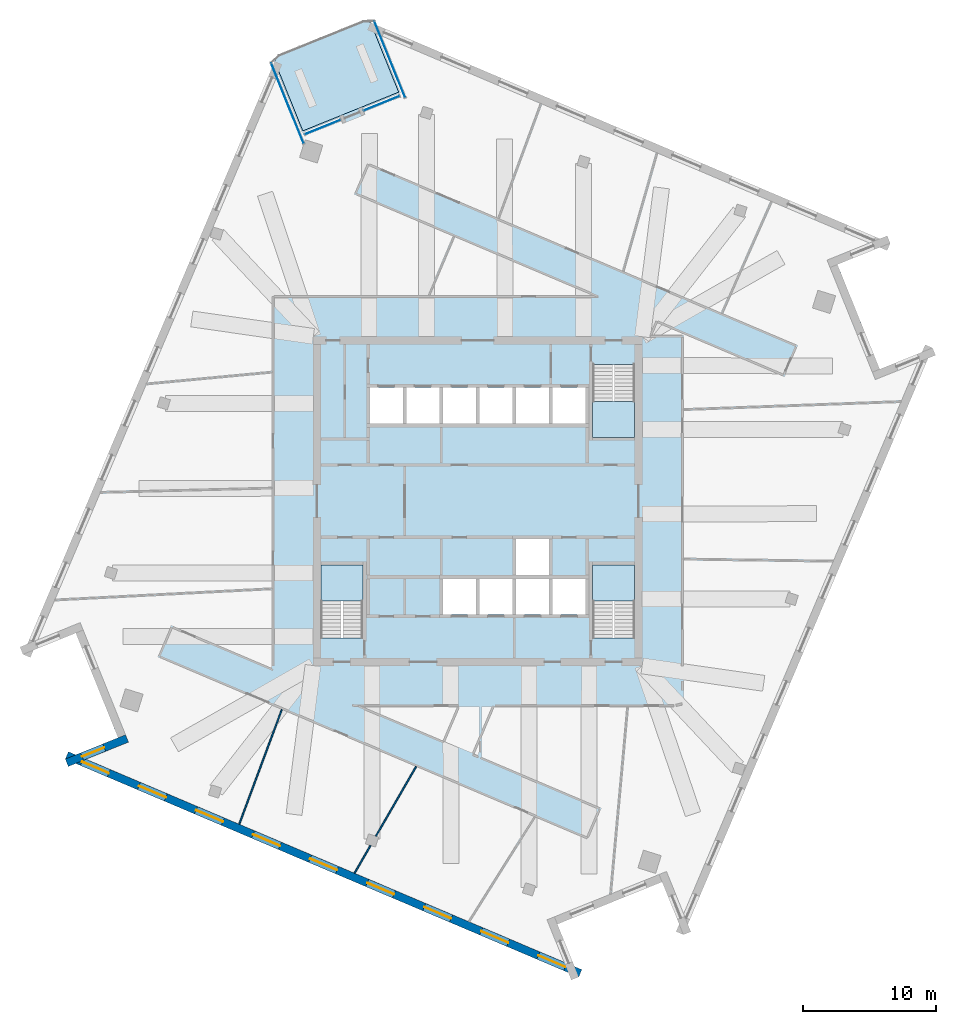
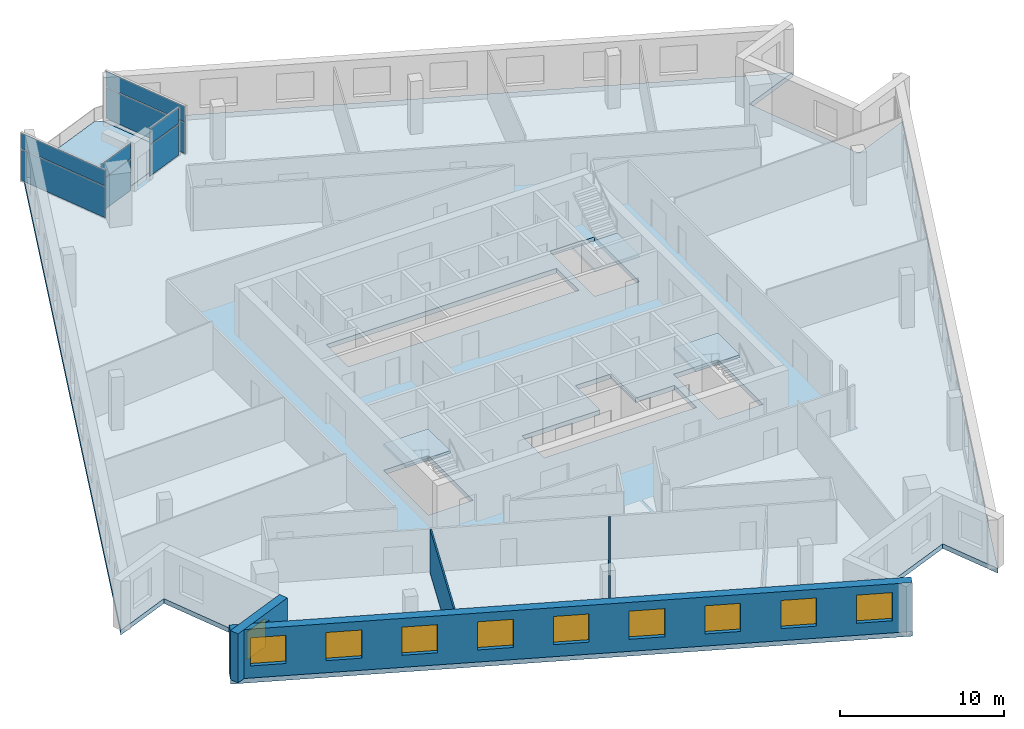
# One storey, part 5 of 13: 10 windows, 8 plates, 5 slabs, 5 walls, 10 openings, 7 elements without a shape of their own.
"""IFC4 building model written with IfcOpenShell, lengths in metres."""

from ifc_helpers import new_model, si_unit, direction, frame, frame_2d, origin, origin_2d, place, context, subcontext, project, spatial, polyline, rectangle, outline, extrude, material, layer, layer_set, type_object, element, fill, aggregate, save


model = new_model("IFC4")

# Units and contexts
model_context = context("Model", 3, precision=1e-05, world=origin(), true_north=direction((0.0, 1.0)))
body_context = subcontext(model_context, "Body", "Model", "MODEL_VIEW")
ifc_project = project(units=[si_unit("LENGTHUNIT", "METRE"), si_unit("AREAUNIT", "SQUARE_METRE"), si_unit("VOLUMEUNIT", "CUBIC_METRE"), si_unit("PLANEANGLEUNIT", "RADIAN"), si_unit("MASSUNIT", "GRAM", prefix="KILO")], contexts=[model_context])

# Site, building, storey
site_placement = place(None, origin())
site = spatial("IfcSite", under=ifc_project, at=site_placement, CompositionType="ELEMENT")
building_placement = place(site_placement, origin())
building = spatial("IfcBuilding", under=site, at=building_placement, Name="Dilmun Exchange Tower", CompositionType="ELEMENT")
storey_placement = place(building_placement, frame((0.0, 0.0, 296.5)))
storey = spatial("IfcBuildingStorey", under=building, at=storey_placement, Name="L70", CompositionType="ELEMENT", Elevation=296.5)

# Stair, slab
ifc_material_1 = material(Name="Concrete C40/50", Category="concrete")
stair_type = type_object("IfcStairType", Name="Exit stair 1500 half-turn", PredefinedType="HALF_TURN_STAIR", material=ifc_material_1)
stair_1_placement = place(storey_placement, origin())
stair_1 = element("IfcStair", 1, at=stair_1_placement, inside=storey, type_object=stair_type, Name="L70 Protected exit stair ST1", PredefinedType="HALF_TURN_STAIR")
ifc_layer_1 = layer(ifc_material_1, 0.199951171875)
ifc_layer_set_1 = layer_set([ifc_layer_1], Name="Concrete C40/50")
slab_type_1 = type_object("IfcSlabType", Name="Exit stair landing 200", PredefinedType="LANDING", material=ifc_layer_set_1)
slab_1_placement = place(storey_placement, frame((0.0, 0.0, 1.800048828125)))
slab_1 = element("IfcSlab", 2, at=slab_1_placement, type_object=slab_type_1, Name="ST1 landing 1", PredefinedType="LANDING", context=body_context, shape_type="SweptSolid", body=[
    extrude(outline(polyline([(8.64990234375, 7.5), (8.64990234375, 4.800048828125), (11.800048828125, 4.800048828125), (11.800048828125, 7.5), (8.64990234375, 7.5)])), origin(), (0.0, 0.0, 1.0), 0.199951171875),
])
aggregate(stair_1, [slab_1])

stair_2_placement = place(storey_placement, origin())
stair_2 = element("IfcStair", 3, at=stair_2_placement, inside=storey, type_object=stair_type, Name="L70 Protected exit stair ST2", PredefinedType="HALF_TURN_STAIR")
slab_2_placement = place(storey_placement, frame((0.0, 0.0, 1.800048828125)))
slab_2 = element("IfcSlab", 4, at=slab_2_placement, type_object=slab_type_1, Name="ST2 landing 1", PredefinedType="LANDING", context=body_context, shape_type="SweptSolid", body=[
    extrude(outline(polyline([(-8.64990234375, -7.5), (-8.64990234375, -4.800048828125), (-11.800048828125, -4.800048828125), (-11.800048828125, -7.5), (-8.64990234375, -7.5)])), origin(), (0.0, 0.0, 1.0), 0.199951171875),
])
aggregate(stair_2, [slab_2])

stair_3_placement = place(storey_placement, origin())
stair_3 = element("IfcStair", 5, at=stair_3_placement, inside=storey, type_object=stair_type, Name="L70 Protected exit stair ST3", PredefinedType="HALF_TURN_STAIR")
slab_3_placement = place(storey_placement, frame((0.0, 0.0, 1.800048828125)))
slab_3 = element("IfcSlab", 6, at=slab_3_placement, type_object=slab_type_1, Name="ST3 landing 1", PredefinedType="LANDING", context=body_context, shape_type="SweptSolid", body=[
    extrude(outline(polyline([(11.800048828125, -7.5), (11.800048828125, -4.800048828125), (8.64990234375, -4.800048828125), (8.64990234375, -7.5), (11.800048828125, -7.5)])), origin(), (0.0, 0.0, 1.0), 0.199951171875),
])
aggregate(stair_3, [slab_3])

# Curtain wall, plates
ifc_material_2 = material(Name="Anodised aluminium and clear glass", Category="aluminium")
curtain_wall_type = type_object("IfcCurtainWallType", Name="Garden corner glazing", PredefinedType="NOTDEFINED", material=ifc_material_2)
curtain_wall_1_placement = place(storey_placement, origin())
curtain_wall_1 = element("IfcCurtainWall", 7, at=curtain_wall_1_placement, inside=storey, type_object=curtain_wall_type, Name="Garden corner glazing run GC1.1", PredefinedType="NOTDEFINED")
ifc_material_3 = material(Name="Clear glass", Category="glass")
ifc_layer_2 = layer(ifc_material_3, 0.028076171875)
ifc_layer_set_2 = layer_set([ifc_layer_2], Name="Clear glass")
plate_type = type_object("IfcPlateType", Name="Garden corner glazing glass panel 28", PredefinedType="CURTAIN_PANEL", material=ifc_layer_set_2)
plate_1_placement = place(storey_placement, frame((-6.620849609375, 33.232421875, 0.06005859375), z_axis=(0.0, 0.0, 1.0), x_axis=(0.374612333812, -0.927181535276, 0.0)))
plate_1 = element("IfcPlate", 8, at=plate_1_placement, type_object=plate_type, Name="GC1.1 panel 1.1", PredefinedType="CURTAIN_PANEL", context=body_context, shape_type="SweptSolid", body=[
    extrude(rectangle(XDim=6.12646484375, YDim=0.028076171875, at=origin_2d()), origin(), (0.0, 0.0, 1.0), 2.31005859375),
])
plate_2_placement = place(storey_placement, frame((-6.620849609375, 33.232421875, 2.43017578125), z_axis=(0.0, 0.0, 1.0), x_axis=(0.374612333812, -0.927181535276, 0.0)))
plate_2 = element("IfcPlate", 9, at=plate_2_placement, type_object=plate_type, Name="GC1.1 panel 1.2", PredefinedType="CURTAIN_PANEL", context=body_context, shape_type="SweptSolid", body=[
    extrude(rectangle(XDim=6.12646484375, YDim=0.028076171875, at=origin_2d()), origin(), (0.0, 0.0, 1.0), 1.159912109375),
])
aggregate(curtain_wall_1, [plate_1, plate_2])

curtain_wall_2_placement = place(storey_placement, origin())
curtain_wall_2 = element("IfcCurtainWall", 10, at=curtain_wall_2_placement, inside=storey, type_object=curtain_wall_type, Name="Garden corner glazing run GC2.1", PredefinedType="NOTDEFINED")
plate_3_placement = place(storey_placement, frame((-7.22705078125, 29.942626953125, 0.06005859375), z_axis=(0.0, 0.0, 1.0), x_axis=(-0.927190673429, -0.374589715698, 0.0)))
plate_3 = element("IfcPlate", 11, at=plate_3_placement, type_object=plate_type, Name="GC2.1 panel 1.1", PredefinedType="CURTAIN_PANEL", context=body_context, shape_type="SweptSolid", body=[
    extrude(rectangle(XDim=2.869140625, YDim=0.028076171875, at=origin_2d()), origin(), (0.0, 0.0, 1.0), 2.31005859375),
])
plate_4_placement = place(storey_placement, frame((-7.22705078125, 29.942626953125, 2.43017578125), z_axis=(0.0, 0.0, 1.0), x_axis=(-0.927190673429, -0.374589715698, 0.0)))
plate_4 = element("IfcPlate", 12, at=plate_4_placement, type_object=plate_type, Name="GC2.1 panel 1.2", PredefinedType="CURTAIN_PANEL", context=body_context, shape_type="SweptSolid", body=[
    extrude(rectangle(XDim=2.869140625, YDim=0.028076171875, at=origin_2d()), origin(), (0.0, 0.0, 1.0), 1.159912109375),
])
aggregate(curtain_wall_2, [plate_3, plate_4])

curtain_wall_3_placement = place(storey_placement, origin())
curtain_wall_3 = element("IfcCurtainWall", 13, at=curtain_wall_3_placement, inside=storey, type_object=curtain_wall_type, Name="Garden corner glazing run GC2.3", PredefinedType="NOTDEFINED")
plate_5_placement = place(storey_placement, frame((-11.66748046875, 28.1484375, 0.06005859375), z_axis=(0.0, 0.0, 1.0), x_axis=(-0.92718597897, -0.374601335291, 0.0)))
plate_5 = element("IfcPlate", 14, at=plate_5_placement, type_object=plate_type, Name="GC2.3 panel 1.1", PredefinedType="CURTAIN_PANEL", context=body_context, shape_type="SweptSolid", body=[
    extrude(rectangle(XDim=2.869140625, YDim=0.028076171875, at=origin_2d()), origin(), (0.0, 0.0, 1.0), 2.31005859375),
])
plate_6_placement = place(storey_placement, frame((-11.66748046875, 28.1484375, 2.43017578125), z_axis=(0.0, 0.0, 1.0), x_axis=(-0.92718597897, -0.374601335291, 0.0)))
plate_6 = element("IfcPlate", 15, at=plate_6_placement, type_object=plate_type, Name="GC2.3 panel 1.2", PredefinedType="CURTAIN_PANEL", context=body_context, shape_type="SweptSolid", body=[
    extrude(rectangle(XDim=2.869140625, YDim=0.028076171875, at=origin_2d()), origin(), (0.0, 0.0, 1.0), 1.159912109375),
])
aggregate(curtain_wall_3, [plate_5, plate_6])

curtain_wall_4_placement = place(storey_placement, origin())
curtain_wall_4 = element("IfcCurtainWall", 16, at=curtain_wall_4_placement, inside=storey, type_object=curtain_wall_type, Name="Garden corner glazing run GC3.1", PredefinedType="NOTDEFINED")
plate_7_placement = place(storey_placement, frame((-14.322509765625, 29.9296875, 0.06005859375), z_axis=(0.0, 0.0, 1.0), x_axis=(-0.374614342415, 0.92718072373, 0.0)))
plate_7 = element("IfcPlate", 17, at=plate_7_placement, type_object=plate_type, Name="GC3.1 panel 1.1", PredefinedType="CURTAIN_PANEL", context=body_context, shape_type="SweptSolid", body=[
    extrude(rectangle(XDim=6.480712890625, YDim=0.028076171875, at=origin_2d()), origin(), (0.0, 0.0, 1.0), 2.31005859375),
])
plate_8_placement = place(storey_placement, frame((-14.322509765625, 29.9296875, 2.43017578125), z_axis=(0.0, 0.0, 1.0), x_axis=(-0.374614342415, 0.92718072373, 0.0)))
plate_8 = element("IfcPlate", 18, at=plate_8_placement, type_object=plate_type, Name="GC3.1 panel 1.2", PredefinedType="CURTAIN_PANEL", context=body_context, shape_type="SweptSolid", body=[
    extrude(rectangle(XDim=6.480712890625, YDim=0.028076171875, at=origin_2d()), origin(), (0.0, 0.0, 1.0), 1.159912109375),
])
aggregate(curtain_wall_4, [plate_7, plate_8])

# Slabs
ifc_layer_3 = layer(ifc_material_1, 0.35009765625)
ifc_layer_set_3 = layer_set([ifc_layer_3], Name="Concrete C40/50")
slab_type_2 = type_object("IfcSlabType", Name="RC floor slab 350", PredefinedType="FLOOR", material=ifc_layer_set_3)
slab_4_placement = place(storey_placement, frame((0.0, 0.0, -0.35009765625)))
element("IfcSlab", 19, at=slab_4_placement, inside=storey, type_object=slab_type_2, Name="Floor slab", PredefinedType="FLOOR", context=body_context, shape_type="SweptSolid", body=[
    extrude(outline(polyline([(27.069580078125, 17.80859375), (30.253662109375, 9.927490234375), (34.22705078125, 11.53271484375), (15.480224609375, -32.63232421875), (13.874755859375, -28.65869140625), (5.99365234375, -31.843017578125), (7.59912109375, -35.81640625), (-31.04296875, -19.413818359375), (-27.069580078125, -17.80859375), (-30.253662109375, -9.927490234375), (-34.22705078125, -11.53271484375), (-15.28076171875, 33.10205078125), (-13.16552734375, 27.86669921875), (-5.95361328125, 30.780517578125), (-8.06884765625, 36.015869140625), (31.04296875, 19.413818359375), (27.069580078125, 17.80859375)]), holes=[polyline([(-8.64990234375, -4.800048828125), (-11.800048828125, -4.800048828125), (-11.800048828125, -10.294921875), (-8.64990234375, -10.294921875), (-8.64990234375, -4.800048828125)]), polyline([(11.800048828125, -4.800048828125), (8.64990234375, -4.800048828125), (8.64990234375, -10.294921875), (11.800048828125, -10.294921875), (11.800048828125, -4.800048828125)]), polyline([(2.875, -5.85009765625), (-2.625, -5.85009765625), (-2.625, -8.550048828125), (8.125, -8.550048828125), (8.125, -5.85009765625), (5.375, -5.85009765625), (5.375, -2.85009765625), (2.875, -2.85009765625), (2.875, -5.85009765625)]), polyline([(8.125, 5.85009765625), (8.125, 8.550048828125), (-8.125, 8.550048828125), (-8.125, 5.85009765625), (8.125, 5.85009765625)]), polyline([(8.64990234375, 10.294921875), (8.64990234375, 4.800048828125), (11.800048828125, 4.800048828125), (11.800048828125, 10.294921875), (8.64990234375, 10.294921875)])]), origin(), (0.0, 0.0, 1.0), 0.35009765625),
])
ifc_layer_4 = layer(ifc_material_1, 0.300048828125)
ifc_layer_set_4 = layer_set([ifc_layer_4], Name="Concrete C40/50")
slab_type_3 = type_object("IfcSlabType", Name="RC garden terrace slab 300", PredefinedType="FLOOR", material=ifc_layer_set_4)
slab_5_placement = place(storey_placement, frame((0.0, 0.0, -0.300048828125)))
element("IfcSlab", 20, at=slab_5_placement, inside=storey, type_object=slab_type_3, Name="Garden terrace slab", PredefinedType="FLOOR", context=body_context, shape_type="SweptSolid", body=[
    extrude(outline(polyline([(-13.16552734375, 27.86669921875), (-15.28076171875, 33.10205078125), (-15.08544921875, 33.5625), (-8.529296875, 36.211181640625), (-8.06884765625, 36.015869140625), (-5.95361328125, 30.780517578125), (-13.16552734375, 27.86669921875)])), origin(), (0.0, 0.0, 1.0), 0.300048828125),
])

# Walls
ifc_material_4 = material(Name="Partition 100")
ifc_layer_5 = layer(ifc_material_4, 0.10009765625)
ifc_layer_set_5 = layer_set([ifc_layer_5], Name="Partition 100")
wall_type_1 = type_object("IfcWallType", Name="Partition 100", PredefinedType="PARTITIONING", material=ifc_layer_set_5)
wall_1_placement = place(storey_placement, frame((-17.9521484375, -24.316650390625, 0.0), z_axis=(0.0, 0.0, 1.0), x_axis=(0.348014202779, 0.937489261093, 0.0)))
element("IfcWall", 21, at=wall_1_placement, inside=storey, type_object=wall_type_1, Name="Partition", PredefinedType="PARTITIONING", context=body_context, shape_type="SweptSolid", body=[
    extrude(rectangle(XDim=9.213134765625, YDim=0.10009765625, at=frame_2d((4.6064453125, 0.0))), origin(), (0.0, 0.0, 1.0), 3.25),
])
wall_2_placement = place(storey_placement, frame((-9.272705078125, -28.000732421875, 0.0), z_axis=(0.0, 0.0, 1.0), x_axis=(0.500153880086, 0.865936542845, 0.0)))
element("IfcWall", 22, at=wall_2_placement, inside=storey, type_object=wall_type_1, Name="Partition", PredefinedType="PARTITIONING", context=body_context, shape_type="SweptSolid", body=[
    extrude(rectangle(XDim=2.400146484375, YDim=0.10009765625, at=frame_2d((1.2001953125, 0.0))), origin(), (0.0, 0.0, 1.0), 3.64990234375),
])
wall_3_placement = place(storey_placement, frame((-7.662109375, -25.212158203125, 0.0), z_axis=(0.0, 0.0, 1.0), x_axis=(0.500102086133, 0.865966456305, 0.0)))
element("IfcWall", 23, at=wall_3_placement, inside=storey, type_object=wall_type_1, Name="Partition", PredefinedType="PARTITIONING", context=body_context, shape_type="SweptSolid", body=[
    extrude(rectangle(XDim=6.049072265625, YDim=0.10009765625, at=frame_2d((3.0244140625, 0.0))), origin(), (0.0, 0.0, 1.0), 3.25),
])

# Wall, opening, window
ifc_material_5 = material(Name="Precast concrete C50/60", Category="concrete")
ifc_layer_6 = layer(ifc_material_5, 0.60009765625)
ifc_layer_set_6 = layer_set([ifc_layer_6], Name="Precast concrete C50/60")
wall_type_2 = type_object("IfcWallType", Name="Precast stone-clad wall 600", PredefinedType="STANDARD", material=ifc_layer_set_6)
wall_4_placement = place(storey_placement, frame((-26.40087890625, -17.86181640625, 0.0), z_axis=(0.0, 0.0, 1.0), x_axis=(-0.927189106571, -0.374593593988, 0.0)))
wall_4 = element("IfcWall", 24, at=wall_4_placement, inside=storey, type_object=wall_type_2, Name="Facade wall L70-06", PredefinedType="STANDARD", context=body_context, shape_type="SweptSolid", body=[
    extrude(rectangle(XDim=4.885498046875, YDim=0.60009765625, at=frame_2d((2.44287109375, 0.0))), origin(), (0.0, 0.0, 1.0), 3.64990234375),
])
opening_1_placement = place(wall_4_placement, frame((1.8427734375, 0.0, 0.89990234375)))
opening_1 = element("IfcOpeningElement", 25, at=opening_1_placement, cuts=wall_4, Name="Opening W180-210", PredefinedType="OPENING", context=body_context, shape_type="SweptSolid", body=[
    extrude(rectangle(XDim=1.800048828125, YDim=2.10009765625, at=frame_2d((0.89990234375, 1.050048828125))), frame((0.0, 0.31005859375, 0.0), z_axis=(0.0, -1.0, 0.0), x_axis=(1.0, 0.0, 0.0)), (0.0, 0.0, 1.0), 0.6201171875),
])
ifc_material_6 = material(Name="Clear low-emissivity glass in aluminium frame", Category="aluminium")
window_type_1 = type_object("IfcWindowType", Name="Punched window 1800 x 2100", PartitioningType="DOUBLE_PANEL_VERTICAL", PredefinedType="WINDOW", material=ifc_material_6)
window_1_placement = place(opening_1_placement, origin())
window_1 = element("IfcWindow", 26, at=window_1_placement, inside=storey, type_object=window_type_1, Name="Window 7.1", OverallHeight=2.10009765625, OverallWidth=1.800048828125, PartitioningType="SINGLE_PANEL", PredefinedType="WINDOW", context=body_context, shape_type="SweptSolid", body=[
    extrude(rectangle(XDim=1.800048828125, YDim=2.10009765625, at=frame_2d((0.89990234375, 1.050048828125))), frame((0.0, 0.030029296875, 0.0), z_axis=(0.0, -1.0, 0.0), x_axis=(1.0, 0.0, 0.0)), (0.0, 0.0, 1.0), 0.06005859375),
])
fill(opening_1, window_1)

# Wall, openings, windows
wall_5_placement = place(storey_placement, frame((-30.92578125, -19.1376953125, 0.0), z_axis=(0.0, 0.0, 1.0), x_axis=(0.920504905663, -0.39073100549, 0.0)))
wall_5 = element("IfcWall", 27, at=wall_5_placement, inside=storey, type_object=wall_type_2, Name="Facade wall L70-07", PredefinedType="STANDARD", context=body_context, shape_type="SweptSolid", body=[
    extrude(rectangle(XDim=41.979248046875, YDim=0.60009765625, at=frame_2d((20.98974609375, 0.0))), origin(), (0.0, 0.0, 1.0), 3.64990234375),
])
opening_2_placement = place(wall_5_placement, frame((1.232177734375, 0.0, 0.89990234375)))
opening_2 = element("IfcOpeningElement", 28, at=opening_2_placement, cuts=wall_5, Name="Opening W220-210", PredefinedType="OPENING", context=body_context, shape_type="SweptSolid", body=[
    extrude(rectangle(XDim=2.199951171875, YDim=2.10009765625, at=frame_2d((1.10009765625, 1.050048828125))), frame((0.0, 0.31005859375, 0.0), z_axis=(0.0, -1.0, 0.0), x_axis=(1.0, 0.0, 0.0)), (0.0, 0.0, 1.0), 0.6201171875),
])
opening_3_placement = place(wall_5_placement, frame((5.896484375, 0.0, 0.89990234375)))
opening_3 = element("IfcOpeningElement", 29, at=opening_3_placement, cuts=wall_5, Name="Opening W220-210", PredefinedType="OPENING", context=body_context, shape_type="SweptSolid", body=[
    extrude(rectangle(XDim=2.199951171875, YDim=2.10009765625, at=frame_2d((1.10009765625, 1.050048828125))), frame((0.0, 0.31005859375, 0.0), z_axis=(0.0, -1.0, 0.0), x_axis=(1.0, 0.0, 0.0)), (0.0, 0.0, 1.0), 0.6201171875),
])
opening_4_placement = place(wall_5_placement, frame((10.560791015625, 0.0, 0.89990234375)))
opening_4 = element("IfcOpeningElement", 30, at=opening_4_placement, cuts=wall_5, Name="Opening W220-210", PredefinedType="OPENING", context=body_context, shape_type="SweptSolid", body=[
    extrude(rectangle(XDim=2.199951171875, YDim=2.10009765625, at=frame_2d((1.10009765625, 1.050048828125))), frame((0.0, 0.31005859375, 0.0), z_axis=(0.0, -1.0, 0.0), x_axis=(1.0, 0.0, 0.0)), (0.0, 0.0, 1.0), 0.6201171875),
])
opening_5_placement = place(wall_5_placement, frame((15.22509765625, 0.0, 0.89990234375)))
opening_5 = element("IfcOpeningElement", 31, at=opening_5_placement, cuts=wall_5, Name="Opening W220-210", PredefinedType="OPENING", context=body_context, shape_type="SweptSolid", body=[
    extrude(rectangle(XDim=2.199951171875, YDim=2.10009765625, at=frame_2d((1.10009765625, 1.050048828125))), frame((0.0, 0.31005859375, 0.0), z_axis=(0.0, -1.0, 0.0), x_axis=(1.0, 0.0, 0.0)), (0.0, 0.0, 1.0), 0.6201171875),
])
opening_6_placement = place(wall_5_placement, frame((19.8896484375, 0.0, 0.89990234375)))
opening_6 = element("IfcOpeningElement", 32, at=opening_6_placement, cuts=wall_5, Name="Opening W220-210", PredefinedType="OPENING", context=body_context, shape_type="SweptSolid", body=[
    extrude(rectangle(XDim=2.199951171875, YDim=2.10009765625, at=frame_2d((1.10009765625, 1.050048828125))), frame((0.0, 0.31005859375, 0.0), z_axis=(0.0, -1.0, 0.0), x_axis=(1.0, 0.0, 0.0)), (0.0, 0.0, 1.0), 0.6201171875),
])
opening_7_placement = place(wall_5_placement, frame((24.553955078125, 0.0, 0.89990234375)))
opening_7 = element("IfcOpeningElement", 33, at=opening_7_placement, cuts=wall_5, Name="Opening W220-210", PredefinedType="OPENING", context=body_context, shape_type="SweptSolid", body=[
    extrude(rectangle(XDim=2.199951171875, YDim=2.10009765625, at=frame_2d((1.10009765625, 1.050048828125))), frame((0.0, 0.31005859375, 0.0), z_axis=(0.0, -1.0, 0.0), x_axis=(1.0, 0.0, 0.0)), (0.0, 0.0, 1.0), 0.6201171875),
])
opening_8_placement = place(wall_5_placement, frame((29.21826171875, 0.0, 0.89990234375)))
opening_8 = element("IfcOpeningElement", 34, at=opening_8_placement, cuts=wall_5, Name="Opening W220-210", PredefinedType="OPENING", context=body_context, shape_type="SweptSolid", body=[
    extrude(rectangle(XDim=2.199951171875, YDim=2.10009765625, at=frame_2d((1.10009765625, 1.050048828125))), frame((0.0, 0.31005859375, 0.0), z_axis=(0.0, -1.0, 0.0), x_axis=(1.0, 0.0, 0.0)), (0.0, 0.0, 1.0), 0.6201171875),
])
opening_9_placement = place(wall_5_placement, frame((33.8828125, 0.0, 0.89990234375)))
opening_9 = element("IfcOpeningElement", 35, at=opening_9_placement, cuts=wall_5, Name="Opening W220-210", PredefinedType="OPENING", context=body_context, shape_type="SweptSolid", body=[
    extrude(rectangle(XDim=2.199951171875, YDim=2.10009765625, at=frame_2d((1.10009765625, 1.050048828125))), frame((0.0, 0.31005859375, 0.0), z_axis=(0.0, -1.0, 0.0), x_axis=(1.0, 0.0, 0.0)), (0.0, 0.0, 1.0), 0.6201171875),
])
opening_10_placement = place(wall_5_placement, frame((38.547119140625, 0.0, 0.89990234375)))
opening_10 = element("IfcOpeningElement", 36, at=opening_10_placement, cuts=wall_5, Name="Opening W220-210", PredefinedType="OPENING", context=body_context, shape_type="SweptSolid", body=[
    extrude(rectangle(XDim=2.199951171875, YDim=2.10009765625, at=frame_2d((1.10009765625, 1.050048828125))), frame((0.0, 0.31005859375, 0.0), z_axis=(0.0, -1.0, 0.0), x_axis=(1.0, 0.0, 0.0)), (0.0, 0.0, 1.0), 0.6201171875),
])
window_type_2 = type_object("IfcWindowType", Name="Punched window 2200 x 2100", PartitioningType="DOUBLE_PANEL_VERTICAL", PredefinedType="WINDOW", material=ifc_material_6)
window_2_placement = place(opening_2_placement, origin())
window_2 = element("IfcWindow", 37, at=window_2_placement, inside=storey, type_object=window_type_2, Name="Window 8.1", OverallHeight=2.10009765625, OverallWidth=2.199951171875, PartitioningType="SINGLE_PANEL", PredefinedType="WINDOW", context=body_context, shape_type="SweptSolid", body=[
    extrude(rectangle(XDim=2.199951171875, YDim=2.10009765625, at=frame_2d((1.10009765625, 1.050048828125))), frame((0.0, 0.030029296875, 0.0), z_axis=(0.0, -1.0, 0.0), x_axis=(1.0, 0.0, 0.0)), (0.0, 0.0, 1.0), 0.06005859375),
])
fill(opening_2, window_2)
window_3_placement = place(opening_3_placement, origin())
window_3 = element("IfcWindow", 38, at=window_3_placement, inside=storey, type_object=window_type_2, Name="Window 8.2", OverallHeight=2.10009765625, OverallWidth=2.199951171875, PartitioningType="SINGLE_PANEL", PredefinedType="WINDOW", context=body_context, shape_type="SweptSolid", body=[
    extrude(rectangle(XDim=2.199951171875, YDim=2.10009765625, at=frame_2d((1.10009765625, 1.050048828125))), frame((0.0, 0.030029296875, 0.0), z_axis=(0.0, -1.0, 0.0), x_axis=(1.0, 0.0, 0.0)), (0.0, 0.0, 1.0), 0.06005859375),
])
fill(opening_3, window_3)
window_4_placement = place(opening_4_placement, origin())
window_4 = element("IfcWindow", 39, at=window_4_placement, inside=storey, type_object=window_type_2, Name="Window 8.3", OverallHeight=2.10009765625, OverallWidth=2.199951171875, PartitioningType="SINGLE_PANEL", PredefinedType="WINDOW", context=body_context, shape_type="SweptSolid", body=[
    extrude(rectangle(XDim=2.199951171875, YDim=2.10009765625, at=frame_2d((1.10009765625, 1.050048828125))), frame((0.0, 0.030029296875, 0.0), z_axis=(0.0, -1.0, 0.0), x_axis=(1.0, 0.0, 0.0)), (0.0, 0.0, 1.0), 0.06005859375),
])
fill(opening_4, window_4)
window_5_placement = place(opening_5_placement, origin())
window_5 = element("IfcWindow", 40, at=window_5_placement, inside=storey, type_object=window_type_2, Name="Window 8.4", OverallHeight=2.10009765625, OverallWidth=2.199951171875, PartitioningType="SINGLE_PANEL", PredefinedType="WINDOW", context=body_context, shape_type="SweptSolid", body=[
    extrude(rectangle(XDim=2.199951171875, YDim=2.10009765625, at=frame_2d((1.10009765625, 1.050048828125))), frame((0.0, 0.030029296875, 0.0), z_axis=(0.0, -1.0, 0.0), x_axis=(1.0, 0.0, 0.0)), (0.0, 0.0, 1.0), 0.06005859375),
])
fill(opening_5, window_5)
window_6_placement = place(opening_6_placement, origin())
window_6 = element("IfcWindow", 41, at=window_6_placement, inside=storey, type_object=window_type_2, Name="Window 8.5", OverallHeight=2.10009765625, OverallWidth=2.199951171875, PartitioningType="SINGLE_PANEL", PredefinedType="WINDOW", context=body_context, shape_type="SweptSolid", body=[
    extrude(rectangle(XDim=2.199951171875, YDim=2.10009765625, at=frame_2d((1.10009765625, 1.050048828125))), frame((0.0, 0.030029296875, 0.0), z_axis=(0.0, -1.0, 0.0), x_axis=(1.0, 0.0, 0.0)), (0.0, 0.0, 1.0), 0.06005859375),
])
fill(opening_6, window_6)
window_7_placement = place(opening_7_placement, origin())
window_7 = element("IfcWindow", 42, at=window_7_placement, inside=storey, type_object=window_type_2, Name="Window 8.6", OverallHeight=2.10009765625, OverallWidth=2.199951171875, PartitioningType="SINGLE_PANEL", PredefinedType="WINDOW", context=body_context, shape_type="SweptSolid", body=[
    extrude(rectangle(XDim=2.199951171875, YDim=2.10009765625, at=frame_2d((1.10009765625, 1.050048828125))), frame((0.0, 0.030029296875, 0.0), z_axis=(0.0, -1.0, 0.0), x_axis=(1.0, 0.0, 0.0)), (0.0, 0.0, 1.0), 0.06005859375),
])
fill(opening_7, window_7)
window_8_placement = place(opening_8_placement, origin())
window_8 = element("IfcWindow", 43, at=window_8_placement, inside=storey, type_object=window_type_2, Name="Window 8.7", OverallHeight=2.10009765625, OverallWidth=2.199951171875, PartitioningType="SINGLE_PANEL", PredefinedType="WINDOW", context=body_context, shape_type="SweptSolid", body=[
    extrude(rectangle(XDim=2.199951171875, YDim=2.10009765625, at=frame_2d((1.10009765625, 1.050048828125))), frame((0.0, 0.030029296875, 0.0), z_axis=(0.0, -1.0, 0.0), x_axis=(1.0, 0.0, 0.0)), (0.0, 0.0, 1.0), 0.06005859375),
])
fill(opening_8, window_8)
window_9_placement = place(opening_9_placement, origin())
window_9 = element("IfcWindow", 44, at=window_9_placement, inside=storey, type_object=window_type_2, Name="Window 8.8", OverallHeight=2.10009765625, OverallWidth=2.199951171875, PartitioningType="SINGLE_PANEL", PredefinedType="WINDOW", context=body_context, shape_type="SweptSolid", body=[
    extrude(rectangle(XDim=2.199951171875, YDim=2.10009765625, at=frame_2d((1.10009765625, 1.050048828125))), frame((0.0, 0.030029296875, 0.0), z_axis=(0.0, -1.0, 0.0), x_axis=(1.0, 0.0, 0.0)), (0.0, 0.0, 1.0), 0.06005859375),
])
fill(opening_9, window_9)
window_10_placement = place(opening_10_placement, origin())
window_10 = element("IfcWindow", 45, at=window_10_placement, inside=storey, type_object=window_type_2, Name="Window 8.9", OverallHeight=2.10009765625, OverallWidth=2.199951171875, PartitioningType="SINGLE_PANEL", PredefinedType="WINDOW", context=body_context, shape_type="SweptSolid", body=[
    extrude(rectangle(XDim=2.199951171875, YDim=2.10009765625, at=frame_2d((1.10009765625, 1.050048828125))), frame((0.0, 0.030029296875, 0.0), z_axis=(0.0, -1.0, 0.0), x_axis=(1.0, 0.0, 0.0)), (0.0, 0.0, 1.0), 0.06005859375),
])
fill(opening_10, window_10)

save(model, "model.ifc")
